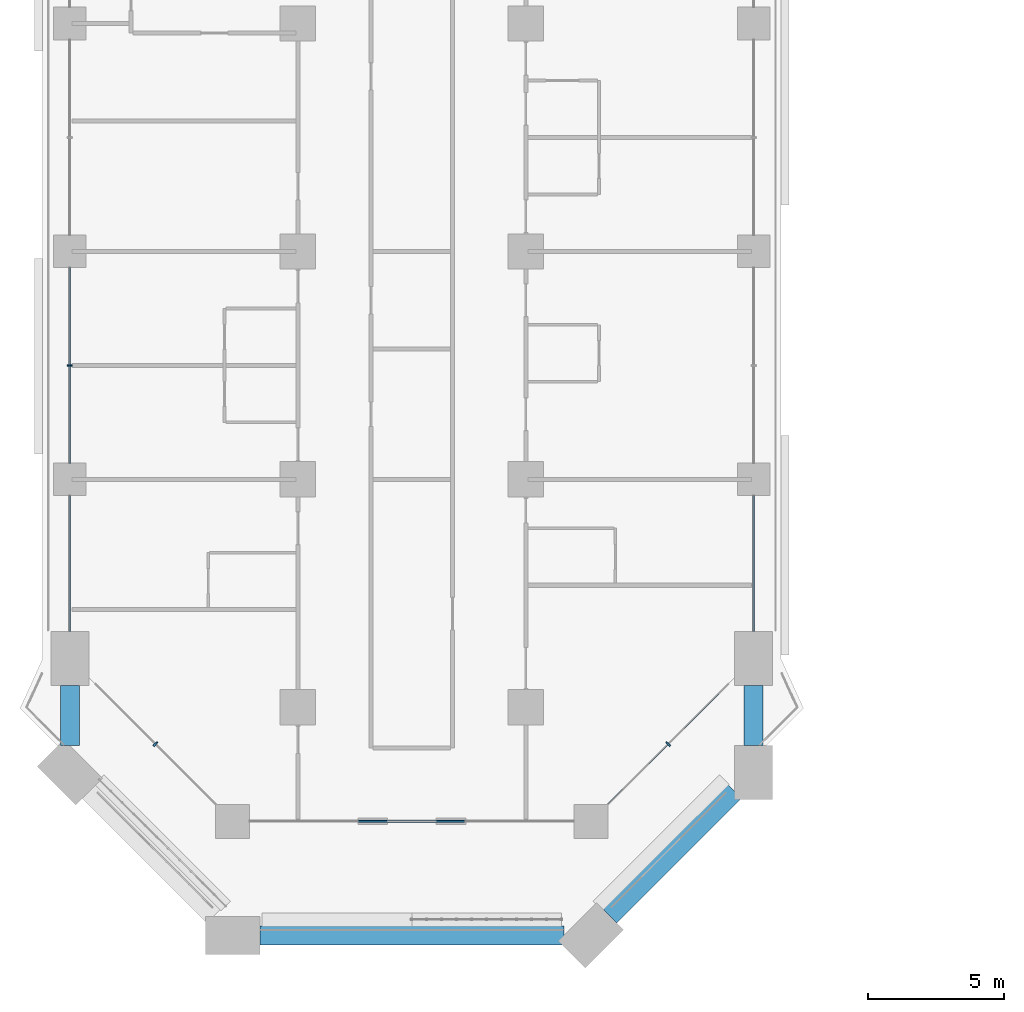
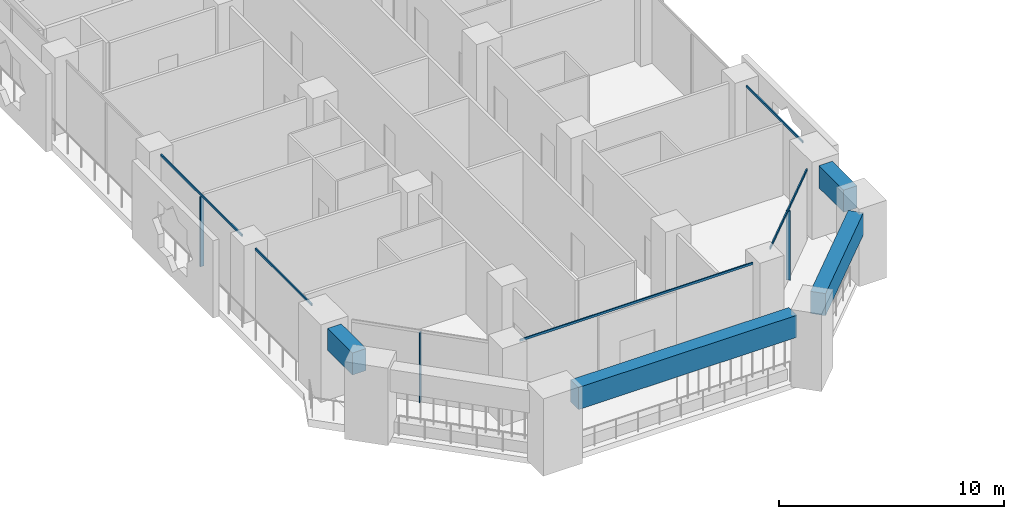
# One storey, part 2 of 26: 8 members, 4 beams, 5 elements without a shape of their own.
"""IFC4 building model written with IfcOpenShell, lengths in metres."""

from ifc_helpers import new_model, si_unit, direction, frame, origin, origin_2d, place, context, subcontext, project, spatial, rectangle, extrude, material, layer, layer_set, material_profile, profile_set, type_object, element, aggregate, save


model = new_model("IFC4")

# Units and contexts
model_context = context("Model", 3, precision=1e-05, world=origin(), true_north=direction((0.0, 1.0)))
body_context = subcontext(model_context, "Body", "Model", "MODEL_VIEW")
ifc_project = project(units=[si_unit("LENGTHUNIT", "METRE"), si_unit("AREAUNIT", "SQUARE_METRE"), si_unit("VOLUMEUNIT", "CUBIC_METRE"), si_unit("PLANEANGLEUNIT", "RADIAN"), si_unit("MASSUNIT", "GRAM", prefix="KILO")], contexts=[model_context])

# Site, building, storey
site_placement = place(None, origin())
site = spatial("IfcSite", under=ifc_project, at=site_placement, CompositionType="ELEMENT")
building_placement = place(site_placement, origin())
building = spatial("IfcBuilding", under=site, at=building_placement, Name="Kawkab Arch Medical Tower", CompositionType="ELEMENT")
storey_placement = place(building_placement, frame((0.0, 0.0, 51.800048828125)))
storey = spatial("IfcBuildingStorey", under=building, at=storey_placement, Name="L11", CompositionType="ELEMENT", Elevation=51.800048828125)

# Curtain wall, members
ifc_material_1 = material(Name="Bronze anodised aluminium curtain wall frame", Category="aluminium")
ifc_layer_1 = layer(ifc_material_1, 0.159912109375)
ifc_layer_set_1 = layer_set([ifc_layer_1], Name="Bronze anodised aluminium curtain wall frame")
curtain_wall_type_1 = type_object("IfcCurtainWallType", Name="CW1 ward curtain wall", PredefinedType="NOTDEFINED", material=ifc_layer_set_1)
placement = place(storey_placement, origin())
curtain_wall_1 = element("IfcCurtainWall", 1, at=placement, inside=storey, type_object=curtain_wall_type_1, Name="CW1 Ward curtain wall R01", PredefinedType="NOTDEFINED")
ifc_material_2 = material(Name="Bronze anodised aluminium curtain wall frame", Category="aluminium")
ifc_material_profile_1 = material_profile(ifc_material_2, rectangle(XDim=0.179931640625, YDim=0.06005859375, at=origin_2d()), Name="AL 60x180")
ifc_profile_set_1 = profile_set([ifc_material_profile_1], Name="Bronze anodised aluminium curtain wall frame")
member_type_1 = type_object("IfcMemberType", Name="CW1 mullion 60 x 180", PredefinedType="MULLION", material=ifc_profile_set_1)
member_1_placement = place(storey_placement, frame((0.0, -54.60009765625, 0.0), z_axis=(0.0, 0.0, 1.0), x_axis=(1.0, 0.0, 0.0)))
member_1 = element("IfcMember", 2, at=member_1_placement, type_object=member_type_1, Name="CW1 mullion 6.1", PredefinedType="MULLION", context=body_context, shape_type="SweptSolid", body=[
    extrude(rectangle(XDim=0.179931640625, YDim=0.06005859375, at=origin_2d()), origin(), (0.0, 0.0, 1.0), 3.780029296875),
])
ifc_material_3 = material(Name="Bronze anodised aluminium curtain wall frame", Category="aluminium")
ifc_material_profile_2 = material_profile(ifc_material_3, rectangle(XDim=0.06005859375, YDim=0.1201171875, at=origin_2d()), Name="AL 60x120")
ifc_profile_set_2 = profile_set([ifc_material_profile_2], Name="Bronze anodised aluminium curtain wall frame")
member_type_2 = type_object("IfcMemberType", Name="CW1 transom 120 x 60", PredefinedType="USERDEFINED", material=ifc_profile_set_2)
member_2_placement = place(storey_placement, frame((0.0, -51.0, 3.83984375), z_axis=(0.0, -1.0, 0.0), x_axis=(1.0, 0.0, 0.0)))
member_2 = element("IfcMember", 3, at=member_2_placement, type_object=member_type_2, Name="CW1 transom 6", ObjectType="TRANSOM", PredefinedType="USERDEFINED", context=body_context, shape_type="SweptSolid", body=[
    extrude(rectangle(XDim=0.06005859375, YDim=0.1201171875, at=origin_2d()), origin(), (0.0, 0.0, 1.0), 7.199951171875),
])
member_3_placement = place(storey_placement, frame((0.0, -59.39990234375, 3.83984375), z_axis=(0.0, -1.0, 0.0), x_axis=(1.0, 0.0, 0.0)))
member_3 = element("IfcMember", 4, at=member_3_placement, type_object=member_type_2, Name="CW1 transom 7", ObjectType="TRANSOM", PredefinedType="USERDEFINED", context=body_context, shape_type="SweptSolid", body=[
    extrude(rectangle(XDim=0.06005859375, YDim=0.1201171875, at=origin_2d()), origin(), (0.0, 0.0, 1.0), 5.0),
])
aggregate(curtain_wall_1, [member_2, member_1, member_3])

# Curtain wall, member
curtain_wall_2 = element("IfcCurtainWall", 5, at=placement, inside=storey, type_object=curtain_wall_type_1, Name="CW1 Ward curtain wall R03", PredefinedType="NOTDEFINED")
member_4_placement = place(storey_placement, frame((6.625, -71.39990234375, 3.83984375), z_axis=(1.0, 0.0, 0.0), x_axis=(0.0, 1.0, 0.0)))
member_4 = element("IfcMember", 6, at=member_4_placement, type_object=member_type_2, Name="CW1 transom 1", ObjectType="TRANSOM", PredefinedType="USERDEFINED", context=body_context, shape_type="SweptSolid", body=[
    extrude(rectangle(XDim=0.06005859375, YDim=0.1201171875, at=origin_2d()), origin(), (0.0, 0.0, 1.0), 11.949951171875),
])
aggregate(curtain_wall_2, [member_4])

curtain_wall_3 = element("IfcCurtainWall", 7, at=placement, inside=storey, type_object=curtain_wall_type_1, Name="CW1 Ward curtain wall R05", PredefinedType="NOTDEFINED")
member_5_placement = place(storey_placement, frame((25.199951171875, -64.39990234375, 3.83984375), z_axis=(0.0, 1.0, 0.0), x_axis=(-1.0, 0.0, 0.0)))
member_5 = element("IfcMember", 8, at=member_5_placement, type_object=member_type_2, Name="CW1 transom 1", ObjectType="TRANSOM", PredefinedType="USERDEFINED", context=body_context, shape_type="SweptSolid", body=[
    extrude(rectangle(XDim=0.06005859375, YDim=0.1201171875, at=origin_2d()), origin(), (0.0, 0.0, 1.0), 5.0),
])
aggregate(curtain_wall_3, [member_5])

ifc_material_4 = material(Name="Bronze anodised aluminium curtain wall frame", Category="aluminium")
ifc_layer_2 = layer(ifc_material_4, 0.159912109375)
ifc_layer_set_2 = layer_set([ifc_layer_2], Name="Bronze anodised aluminium curtain wall frame")
curtain_wall_type_2 = type_object("IfcCurtainWallType", Name="CW2 chamfer curtain wall", PredefinedType="NOTDEFINED", material=ifc_layer_set_2)
curtain_wall_4 = element("IfcCurtainWall", 9, at=placement, inside=storey, type_object=curtain_wall_type_2, Name="CW2 Chamfer curtain wall R02", PredefinedType="NOTDEFINED")
ifc_material_5 = material(Name="Bronze anodised aluminium curtain wall frame", Category="aluminium")
ifc_material_profile_3 = material_profile(ifc_material_5, rectangle(XDim=0.199951171875, YDim=0.06005859375, at=origin_2d()), Name="AL 60x200")
ifc_profile_set_3 = profile_set([ifc_material_profile_3], Name="Bronze anodised aluminium curtain wall frame")
member_type_3 = type_object("IfcMemberType", Name="CW2 mullion 60 x 200", PredefinedType="MULLION", material=ifc_profile_set_3)
member_6_placement = place(storey_placement, frame((3.152587890625, -68.552734375, 0.0), z_axis=(0.0, 0.0, 1.0), x_axis=(0.707106781187, 0.707106781187, 0.0)))
member_6 = element("IfcMember", 10, at=member_6_placement, type_object=member_type_3, Name="CW2 mullion 1.1", PredefinedType="MULLION", context=body_context, shape_type="SweptSolid", body=[
    extrude(rectangle(XDim=0.199951171875, YDim=0.06005859375, at=origin_2d()), origin(), (0.0, 0.0, 1.0), 3.760009765625),
])
aggregate(curtain_wall_4, [member_6])

# Curtain wall, members
curtain_wall_5 = element("IfcCurtainWall", 11, at=placement, inside=storey, type_object=curtain_wall_type_2, Name="CW2 Chamfer curtain wall R04", PredefinedType="NOTDEFINED")
member_7_placement = place(storey_placement, frame((22.04736328125, -68.552734375, 0.0), z_axis=(0.0, 0.0, 1.0), x_axis=(-0.707106781187, 0.707106781187, 0.0)))
member_7 = element("IfcMember", 12, at=member_7_placement, type_object=member_type_3, Name="CW2 mullion 1.1", PredefinedType="MULLION", context=body_context, shape_type="SweptSolid", body=[
    extrude(rectangle(XDim=0.199951171875, YDim=0.06005859375, at=origin_2d()), origin(), (0.0, 0.0, 1.0), 3.760009765625),
])
ifc_material_6 = material(Name="Bronze anodised aluminium curtain wall frame", Category="aluminium")
ifc_material_profile_4 = material_profile(ifc_material_6, rectangle(XDim=0.06005859375, YDim=0.139892578125, at=origin_2d()), Name="AL 60x140")
ifc_profile_set_4 = profile_set([ifc_material_profile_4], Name="Bronze anodised aluminium curtain wall frame")
member_type_4 = type_object("IfcMemberType", Name="CW2 transom 140 x 60", PredefinedType="USERDEFINED", material=ifc_profile_set_4)
member_8_placement = place(storey_placement, frame((19.824951171875, -70.77490234375, 3.829833984375), z_axis=(0.707126201062, 0.707087360778, 0.0), x_axis=(-0.707087360778, 0.707126201062, 0.0)))
member_8 = element("IfcMember", 13, at=member_8_placement, type_object=member_type_4, Name="CW2 transom 1", ObjectType="TRANSOM", PredefinedType="USERDEFINED", context=body_context, shape_type="SweptSolid", body=[
    extrude(rectangle(XDim=0.06005859375, YDim=0.139892578125, at=origin_2d()), origin(), (0.0, 0.0, 1.0), 6.28564453125),
])
aggregate(curtain_wall_5, [member_8, member_7])

# Beams
ifc_material_7 = material(Name="Concrete C60/75", Category="concrete")
ifc_material_profile_5 = material_profile(ifc_material_7, rectangle(XDim=0.699951171875, YDim=1.199951171875, at=origin_2d()), Name="RC 700x1200")
ifc_profile_set_5 = profile_set([ifc_material_profile_5], Name="Concrete C60/75")
beam_type = type_object("IfcBeamType", Name="RC 700x1200 beam C60/75", PredefinedType="BEAM", material=ifc_profile_set_5)
beam_1_placement = place(storey_placement, frame((25.199951171875, -66.39990234375, 3.300048828125), z_axis=(0.0, -1.0, 0.0), x_axis=(1.0, 0.0, 0.0)))
element("IfcBeam", 14, at=beam_1_placement, inside=storey, type_object=beam_type, Name="Terrace frame beam TF-L11-1-L12-01", PredefinedType="BEAM", context=body_context, shape_type="SweptSolid", body=[
    extrude(rectangle(XDim=0.699951171875, YDim=1.199951171875, at=origin_2d()), origin(), (0.0, 0.0, 1.0), 2.2001953125),
])
beam_2_placement = place(storey_placement, frame((24.5, -70.300048828125, 3.300048828125), z_axis=(-0.707125574473, -0.707087987401, 0.0), x_axis=(0.707087987401, -0.707125574473, 0.0)))
element("IfcBeam", 15, at=beam_2_placement, inside=storey, type_object=beam_type, Name="Terrace frame beam TF-L11-1-L12-02", PredefinedType="BEAM", context=body_context, shape_type="SweptSolid", body=[
    extrude(rectangle(XDim=0.699951171875, YDim=1.199951171875, at=origin_2d()), origin(), (0.0, 0.0, 1.0), 6.495361328125),
])
beam_3_placement = place(storey_placement, frame((18.210205078125, -75.60009765625, 3.300048828125), z_axis=(-1.0, 0.0, 0.0), x_axis=(0.0, -1.0, 0.0)))
element("IfcBeam", 16, at=beam_3_placement, inside=storey, type_object=beam_type, Name="Terrace frame beam TF-L11-1-L12-03", PredefinedType="BEAM", context=body_context, shape_type="SweptSolid", body=[
    extrude(rectangle(XDim=0.699951171875, YDim=1.199951171875, at=origin_2d()), origin(), (0.0, 0.0, 1.0), 11.210205078125),
])
beam_4_placement = place(storey_placement, frame((0.0, -68.610107421875, 3.300048828125), z_axis=(0.0, 1.0, 0.0), x_axis=(-1.0, 0.0, 0.0)))
element("IfcBeam", 17, at=beam_4_placement, inside=storey, type_object=beam_type, Name="Terrace frame beam TF-L11-1-L12-05", PredefinedType="BEAM", context=body_context, shape_type="SweptSolid", body=[
    extrude(rectangle(XDim=0.699951171875, YDim=1.199951171875, at=origin_2d()), origin(), (0.0, 0.0, 1.0), 2.210205078125),
])

save(model, "model.ifc")
